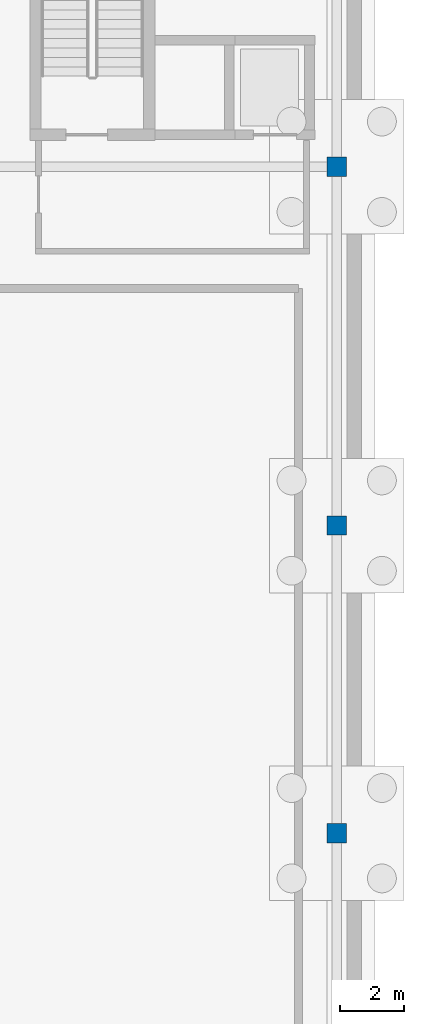
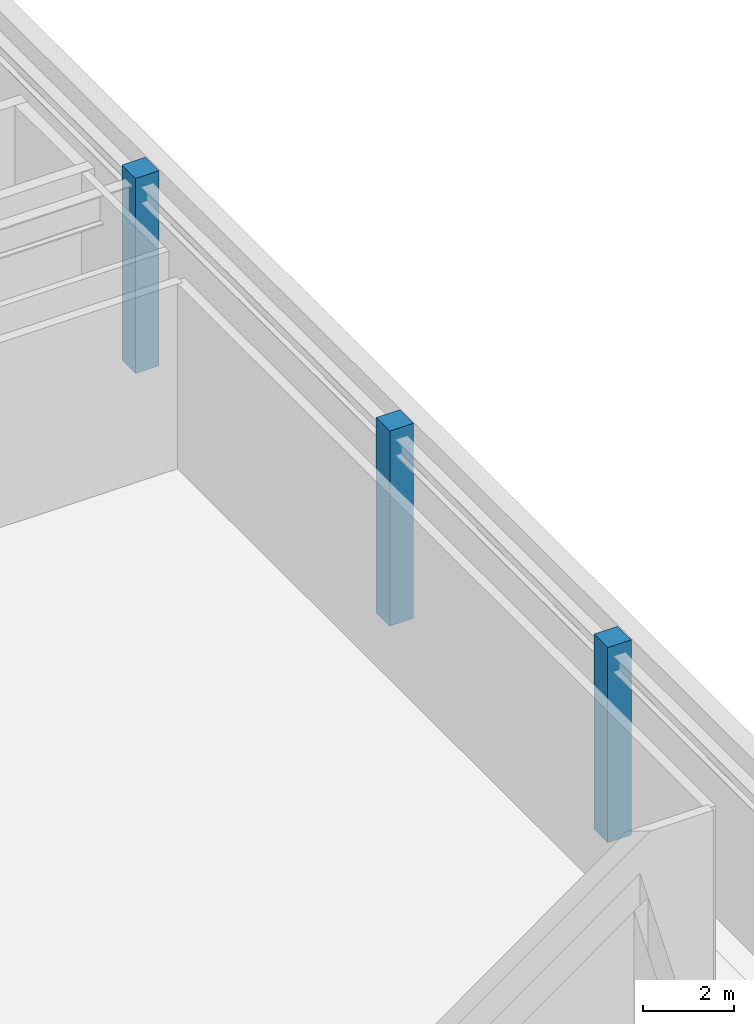
# One storey, part 13 of 33: 3 columns.
"""IFC4 building model written with IfcOpenShell, lengths in metres."""

from ifc_helpers import new_model, si_unit, direction, frame, origin, origin_2d, place, context, subcontext, project, spatial, rectangle, extrude, material, material_profile, profile_set, type_object, element, save


model = new_model("IFC4")

# Units and contexts
model_context = context("Model", 3, precision=1e-05, world=origin(), true_north=direction((0.0, 1.0)))
body_context = subcontext(model_context, "Body", "Model", "MODEL_VIEW")
ifc_project = project(units=[si_unit("LENGTHUNIT", "METRE"), si_unit("AREAUNIT", "SQUARE_METRE"), si_unit("VOLUMEUNIT", "CUBIC_METRE"), si_unit("PLANEANGLEUNIT", "RADIAN"), si_unit("MASSUNIT", "GRAM", prefix="KILO")], contexts=[model_context])

# Site, building, storey
site_placement = place(None, origin())
site = spatial("IfcSite", under=ifc_project, at=site_placement, CompositionType="ELEMENT")
building_placement = place(site_placement, origin())
building = spatial("IfcBuilding", under=site, at=building_placement, Name="Nordkorset Police Headquarters", CompositionType="ELEMENT")
storey_placement = place(building_placement, frame((0.0, 0.0, -9.800048828125)))
storey = spatial("IfcBuildingStorey", under=building, at=storey_placement, Name="B02", CompositionType="ELEMENT", Elevation=-9.800048828125)

# Columns
ifc_material = material(Name="Concrete C45/55", Category="concrete")
ifc_material_profile = material_profile(ifc_material, rectangle(XDim=0.60009765625, YDim=0.60009765625, at=origin_2d()), Name="RC 600x600")
ifc_profile_set = profile_set([ifc_material_profile], Name="Concrete C45/55")
column_type = type_object("IfcColumnType", Name="Col_RC_600x600", PredefinedType="COLUMN", material=ifc_profile_set)
for number, where, z_axis, x_axis, name in (
    (1, (115.199951171875, 67.199951171875, 0.0), (0.0, 0.0, 1.0), (1.0, 0.0, 0.0), "Structural Column V5_X2_2 B02"),
    (2, (115.199951171875, 76.800048828125, 0.0), (0.0, 0.0, 1.0), (1.0, 0.0, 0.0), "Structural Column V5_X2_3 B02"),
    (3, (115.199951171875, 88.0, 0.0), (0.0, 0.0, 1.0), (1.0, 0.0, 0.0), "Structural Column V5_X2_4 B02"),
):
    element("IfcColumn", number, at=place(storey_placement, frame(where, z_axis=z_axis, x_axis=x_axis)), inside=storey, type_object=column_type, Name=name, PredefinedType="COLUMN", context=body_context, shape_type="SweptSolid", body=[
        extrude(rectangle(XDim=0.60009765625, YDim=0.60009765625, at=origin_2d()), origin(), (0.0, 0.0, 1.0), 5.25),
    ])

save(model, "model.ifc")
